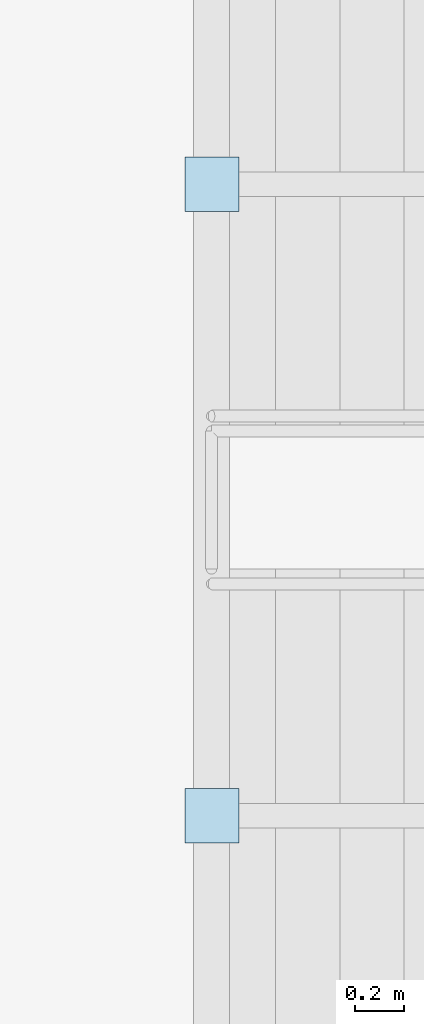
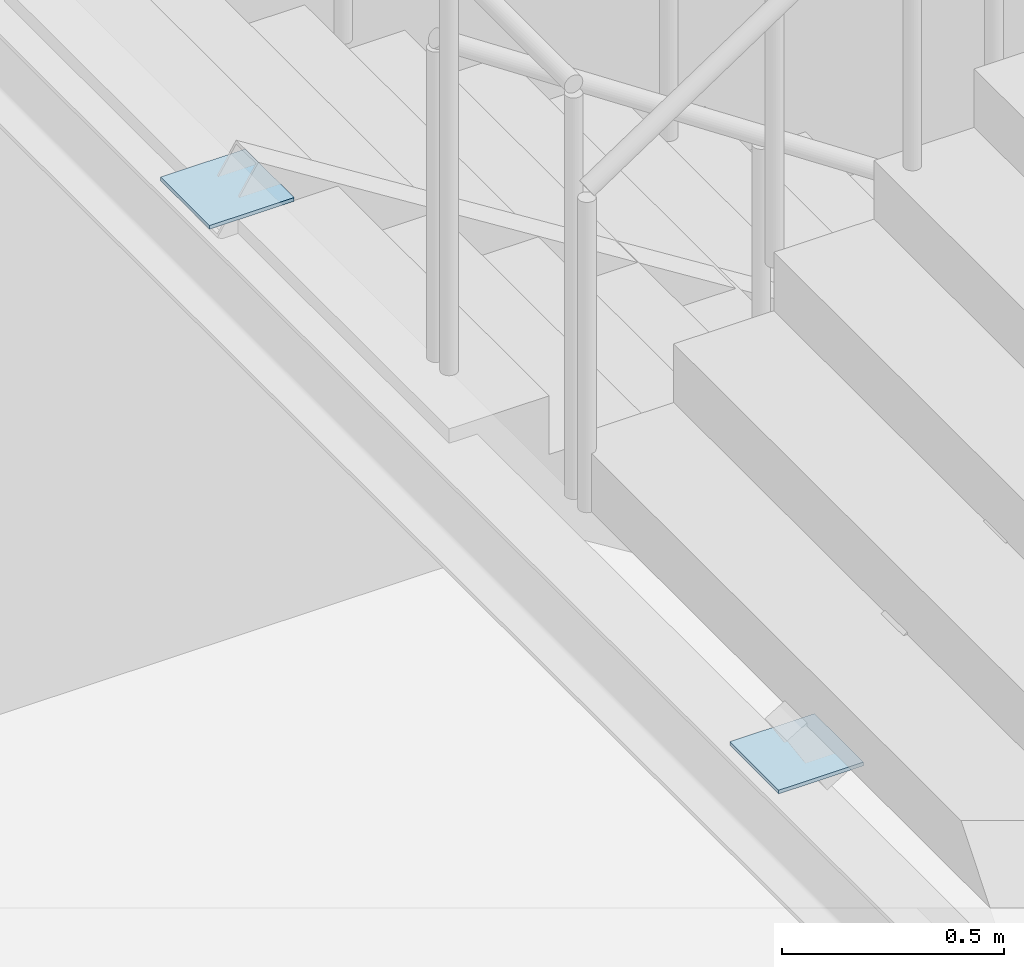
# One storey, part 59 of 93: 2 plates.
"""IFC4 building model written with IfcOpenShell, lengths in metres."""

from ifc_helpers import new_model, si_unit, direction, frame, origin, origin_2d, place, context, subcontext, project, spatial, rectangle, extrude, material, layer, layer_set, type_object, element, save


model = new_model("IFC4")

# Units and contexts
model_context = context("Model", 3, precision=1e-05, world=origin(), true_north=direction((0.0, 1.0)))
body_context = subcontext(model_context, "Body", "Model", "MODEL_VIEW")
ifc_project = project(units=[si_unit("LENGTHUNIT", "METRE"), si_unit("AREAUNIT", "SQUARE_METRE"), si_unit("VOLUMEUNIT", "CUBIC_METRE"), si_unit("PLANEANGLEUNIT", "RADIAN"), si_unit("MASSUNIT", "GRAM", prefix="KILO")], contexts=[model_context])

# Site, building, storey
site_placement = place(None, origin())
site = spatial("IfcSite", under=ifc_project, at=site_placement, CompositionType="ELEMENT")
building_placement = place(site_placement, origin())
building = spatial("IfcBuilding", under=site, at=building_placement, Name="Marnridge Secondary College", CompositionType="ELEMENT")
storey_placement = place(building_placement, origin())
storey = spatial("IfcBuildingStorey", under=building, at=storey_placement, Name="L00", CompositionType="ELEMENT", Elevation=0.0)

# Plates
ifc_material = material(Name="Structural steel plate Grade 350 (AS/NZS 3678, fy = 350 MPa <=12mm, 340 MPa 12-20mm, 330 MPa 20-50mm)", Category="steel")
ifc_layer = layer(ifc_material, 0.010009765625)
ifc_layer_set = layer_set([ifc_layer], Name="PT-CAP-INT")
plate_type = type_object("IfcPlateType", Name="PT-CAP-INT", PredefinedType="SHEET", material=ifc_layer_set)
for number, where, z_axis, x_axis, name in (
    (1, (93.171630859375, 5.030029296875, 2.1357421875), (0.0, 0.0, 1.0), (-1.0, 0.0, 0.0), "Tube end cap STR-049-EC2"),
    (2, (93.171630859375, 2.469970703125, 2.13818359375), (0.0, 0.0, 1.0), (1.0, 0.0, 0.0), "Tube end cap STR-050-EC1"),
):
    element("IfcPlate", number, at=place(storey_placement, frame(where, z_axis=z_axis, x_axis=x_axis)), inside=storey, type_object=plate_type, Name=name, PredefinedType="SHEET", context=body_context, shape_type="SweptSolid", body=[
        extrude(rectangle(XDim=0.219970703125, YDim=0.219970703125, at=origin_2d()), origin(), (0.0, 0.0, 1.0), 0.010009765625),
    ])

save(model, "model.ifc")
